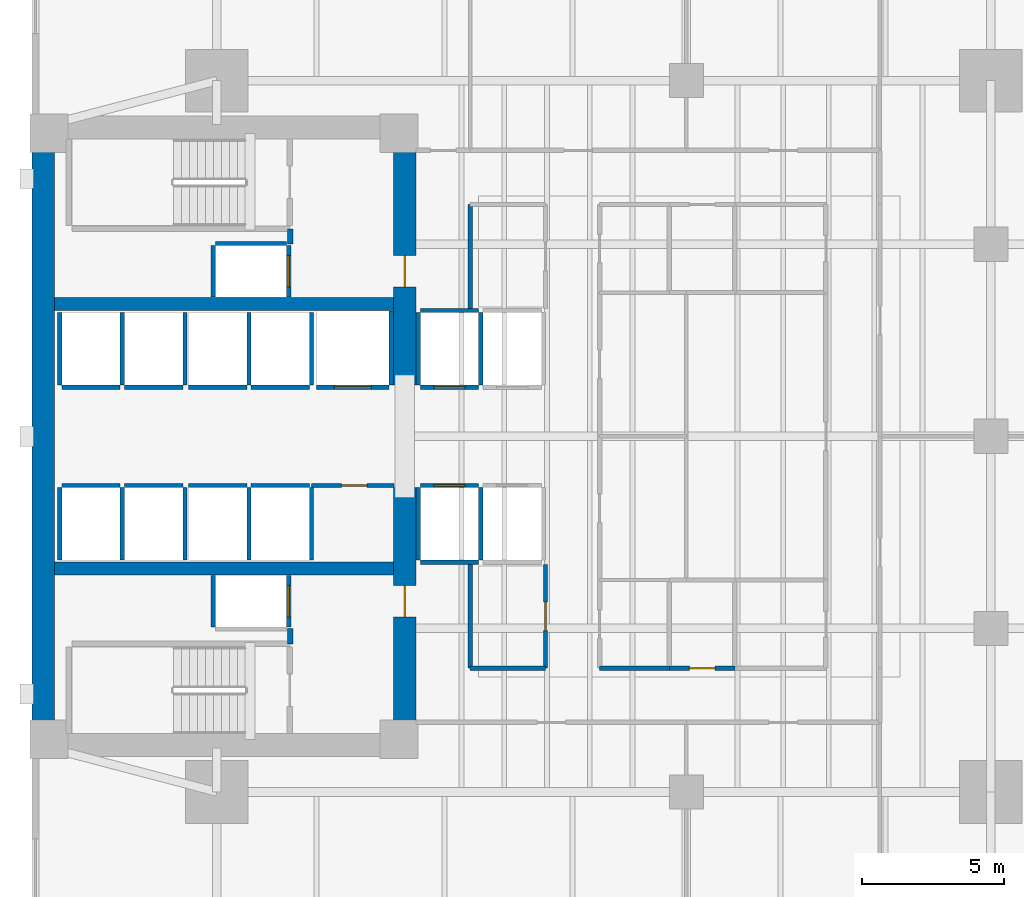
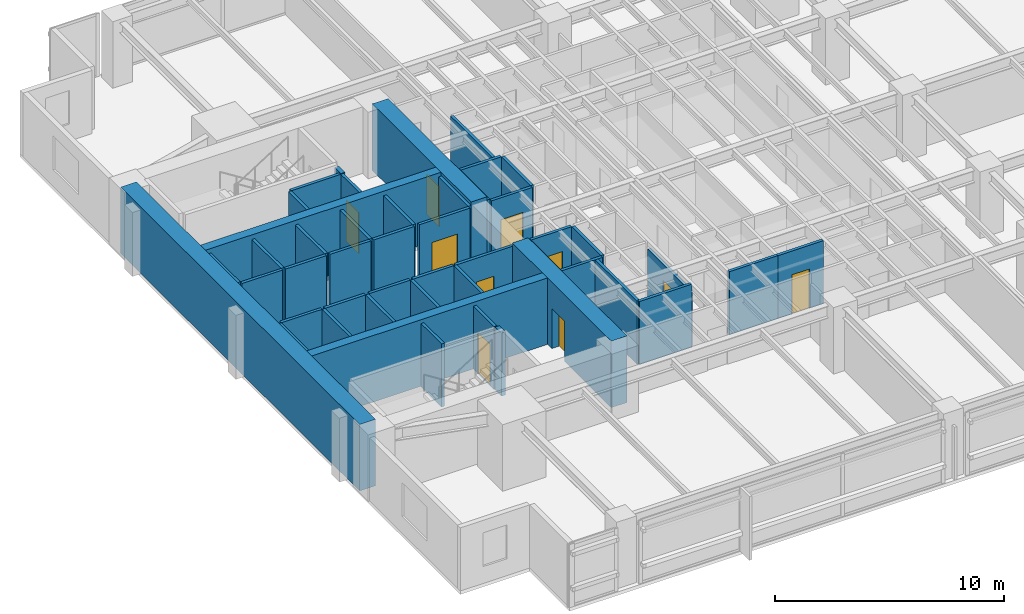
# One storey, part 8 of 15: 47 walls, 10 doors, 10 openings.
"""IFC4 building model written with IfcOpenShell, lengths in metres."""

from ifc_helpers import new_model, si_unit, direction, frame, frame_2d, origin, place, context, subcontext, project, spatial, rectangle, extrude, material, layer, layer_set, type_object, element, fill, save


model = new_model("IFC4")

# Units and contexts
model_context = context("Model", 3, precision=1e-05, world=origin(), true_north=direction((0.0, 1.0)))
body_context = subcontext(model_context, "Body", "Model", "MODEL_VIEW")
ifc_project = project(units=[si_unit("LENGTHUNIT", "METRE"), si_unit("AREAUNIT", "SQUARE_METRE"), si_unit("VOLUMEUNIT", "CUBIC_METRE"), si_unit("PLANEANGLEUNIT", "RADIAN"), si_unit("MASSUNIT", "GRAM", prefix="KILO")], contexts=[model_context])

# Site, building, storey
site_placement = place(None, origin())
site = spatial("IfcSite", under=ifc_project, at=site_placement, CompositionType="ELEMENT")
building_placement = place(site_placement, origin())
building = spatial("IfcBuilding", under=site, at=building_placement, Name="Kinhvarn Gate Tower", CompositionType="ELEMENT")
storey_placement = place(building_placement, frame((0.0, 0.0, 39.800048828125)))
storey = spatial("IfcBuildingStorey", under=building, at=storey_placement, Name="L09", CompositionType="ELEMENT", Elevation=39.800048828125)

# Walls
ifc_material_1 = material(Name="Concrete C50/60", Category="concrete")
ifc_layer_1 = layer(ifc_material_1, 0.449951171875)
ifc_layer_set_1 = layer_set([ifc_layer_1], Name="Concrete C50/60")
wall_type_1 = type_object("IfcWallType", Name="WL-CORE-450", PredefinedType="SHEAR", material=ifc_layer_set_1)
for number, where, z_axis, x_axis, name in (
    (1, (5.300048828125, 20.60009765625, 0.0), (0.0, 0.0, 1.0), (1.0, 0.0, 0.0), "Core South Spine Shear Wall L09 450 mm"),
    (2, (5.300048828125, 29.89990234375, 0.0), (0.0, 0.0, 1.0), (1.0, 0.0, 0.0), "Core North Spine Shear Wall L09 450 mm"),
):
    element("IfcWall", number, at=place(storey_placement, frame(where, z_axis=z_axis, x_axis=x_axis)), inside=storey, type_object=wall_type_1, Name=name, PredefinedType="SHEAR", context=body_context, shape_type="SweptSolid", body=[
        extrude(rectangle(XDim=11.89990234375, YDim=0.449951171875, at=frame_2d((5.949951171875, 0.0))), origin(), (0.0, 0.0, 1.0), 3.550048828125),
    ])

# Wall, opening, door
ifc_material_2 = material(Name="Concrete C70/85", Category="concrete")
ifc_layer_2 = layer(ifc_material_2, 0.800048828125)
ifc_layer_set_2 = layer_set([ifc_layer_2], Name="Concrete C70/85")
wall_type_2 = type_object("IfcWallType", Name="WL-CORE-800", PredefinedType="SHEAR", material=ifc_layer_set_2)
wall_1_placement = place(storey_placement, frame((17.60009765625, 14.800048828125, 0.0), z_axis=(0.0, 0.0, 1.0), x_axis=(0.0, 1.0, 0.0)))
wall_1 = element("IfcWall", 3, at=wall_1_placement, inside=storey, type_object=wall_type_2, Name="Core East-South Shear Pier L09 800 mm", PredefinedType="SHEAR", context=body_context, shape_type="SweptSolid", body=[
    extrude(rectangle(XDim=8.64990234375, YDim=0.800048828125, at=frame_2d((4.324951171875, 0.0))), origin(), (0.0, 0.0, 1.0), 3.550048828125),
])
opening_1_placement = place(wall_1_placement, frame((4.10009765625, 0.0, 0.0)))
opening_1 = element("IfcOpeningElement", 4, at=opening_1_placement, cuts=wall_1, Name="Opening FD-02", PredefinedType="OPENING", context=body_context, shape_type="SweptSolid", body=[
    extrude(rectangle(XDim=1.10009765625, YDim=2.14990234375, at=frame_2d((0.550048828125, 1.074951171875))), frame((0.0, 0.41015625, 0.0), z_axis=(0.0, -1.0, 0.0), x_axis=(1.0, 0.0, 0.0)), (0.0, 0.0, 1.0), 0.820068359375),
])
ifc_material_3 = material(Name="Anodised aluminium AW-6063", Category="aluminium")
door_type_1 = type_object("IfcDoorType", Name="DR-FD-1100", OperationType="NOTDEFINED", PredefinedType="DOOR", material=ifc_material_3)
door_1_placement = place(opening_1_placement, origin())
door_1 = element("IfcDoor", 5, at=door_1_placement, inside=storey, type_object=door_type_1, Name="Firefighting Lobby Core Door (L09)", OperationType="SINGLE_SWING_RIGHT", OverallHeight=2.14990234375, OverallWidth=1.10009765625, PredefinedType="DOOR", context=body_context, shape_type="SweptSolid", body=[
    extrude(rectangle(XDim=1.10009765625, YDim=2.14990234375, at=frame_2d((0.550048828125, 1.074951171875))), frame((0.0, 0.02490234375, 0.0), z_axis=(0.0, -1.0, 0.0), x_axis=(1.0, 0.0, 0.0)), (0.0, 0.0, 1.0), 0.050048828125),
])
fill(opening_1, door_1)

wall_2_placement = place(storey_placement, frame((17.60009765625, 27.050048828125, 0.0), z_axis=(0.0, 0.0, 1.0), x_axis=(0.0, 1.0, 0.0)))
wall_2 = element("IfcWall", 6, at=wall_2_placement, inside=storey, type_object=wall_type_2, Name="Core East-North Shear Pier L09 800 mm", PredefinedType="SHEAR", context=body_context, shape_type="SweptSolid", body=[
    extrude(rectangle(XDim=8.64990234375, YDim=0.800048828125, at=frame_2d((4.324951171875, 0.0))), origin(), (0.0, 0.0, 1.0), 3.550048828125),
])
opening_2_placement = place(wall_2_placement, frame((3.449951171875, 0.0, 0.0)))
opening_2 = element("IfcOpeningElement", 7, at=opening_2_placement, cuts=wall_2, Name="Opening FD-02", PredefinedType="OPENING", context=body_context, shape_type="SweptSolid", body=[
    extrude(rectangle(XDim=1.10009765625, YDim=2.14990234375, at=frame_2d((0.550048828125, 1.074951171875))), frame((0.0, 0.41015625, 0.0), z_axis=(0.0, -1.0, 0.0), x_axis=(1.0, 0.0, 0.0)), (0.0, 0.0, 1.0), 0.820068359375),
])
door_2_placement = place(opening_2_placement, origin())
door_2 = element("IfcDoor", 8, at=door_2_placement, inside=storey, type_object=door_type_1, Name="Firefighting Lobby Core Door (L09)", OperationType="SINGLE_SWING_LEFT", OverallHeight=2.14990234375, OverallWidth=1.10009765625, PredefinedType="DOOR", context=body_context, shape_type="SweptSolid", body=[
    extrude(rectangle(XDim=1.10009765625, YDim=2.14990234375, at=frame_2d((0.550048828125, 1.074951171875))), frame((0.0, 0.02490234375, 0.0), z_axis=(0.0, -1.0, 0.0), x_axis=(1.0, 0.0, 0.0)), (0.0, 0.0, 1.0), 0.050048828125),
])
fill(opening_2, door_2)

# Wall
ifc_layer_3 = layer(ifc_material_2, 0.800048828125)
ifc_layer_set_3 = layer_set([ifc_layer_3], Name="Concrete C70/85")
wall_type_3 = type_object("IfcWallType", Name="WL-COREX-800", PredefinedType="SHEAR", material=ifc_layer_set_3)
wall_3_placement = place(storey_placement, frame((4.89990234375, 14.800048828125, 0.0), z_axis=(0.0, 0.0, 1.0), x_axis=(0.0, 1.0, 0.0)))
element("IfcWall", 9, at=wall_3_placement, inside=storey, type_object=wall_type_3, Name="Core West Shear Wall L09 800 mm", PredefinedType="SHEAR", context=body_context, shape_type="SweptSolid", body=[
    extrude(rectangle(XDim=20.89990234375, YDim=0.800048828125, at=frame_2d((10.449951171875, 0.0))), origin(), (0.0, 0.0, 1.0), 3.550048828125),
])

# Wall, opening, door
ifc_material_4 = material(Name="Gypsum acoustic partition board")
ifc_layer_4 = layer(ifc_material_4, 0.14990234375)
ifc_layer_set_4 = layer_set([ifc_layer_4], Name="Gypsum acoustic partition board")
wall_type_4 = type_object("IfcWallType", Name="WL-PLM-150F", PredefinedType="PLUMBINGWALL", material=ifc_layer_set_4)
wall_4_placement = place(storey_placement, frame((26.89990234375, 17.10009765625, 0.0), z_axis=(0.0, 0.0, 1.0), x_axis=(1.0, 0.0, 0.0)))
wall_4 = element("IfcWall", 10, at=wall_4_placement, inside=storey, type_object=wall_type_4, Name="Interior Partition PLW-150F (L09)", PredefinedType="PLUMBINGWALL", context=body_context, shape_type="SweptSolid", body=[
    extrude(rectangle(XDim=2.300048828125, YDim=0.14990234375, at=frame_2d((1.14990234375, 0.0))), origin(), (0.0, 0.0, 1.0), 3.369873046875),
])
opening_3_placement = place(wall_4_placement, frame((0.699951171875, 0.0, 0.0)))
opening_3 = element("IfcOpeningElement", 11, at=opening_3_placement, cuts=wall_4, Name="Opening FD-04", PredefinedType="OPENING", context=body_context, shape_type="SweptSolid", body=[
    extrude(rectangle(XDim=0.89990234375, YDim=2.10009765625, at=frame_2d((0.449951171875, 1.050048828125))), frame((0.0, 0.0849609375, 0.0), z_axis=(0.0, -1.0, 0.0), x_axis=(1.0, 0.0, 0.0)), (0.0, 0.0, 1.0), 0.169921875),
])
door_type_2 = type_object("IfcDoorType", Name="DR-FD-900", OperationType="NOTDEFINED", PredefinedType="DOOR", material=ifc_material_3)
door_3_placement = place(opening_3_placement, origin())
door_3 = element("IfcDoor", 12, at=door_3_placement, inside=storey, type_object=door_type_2, Name="Rated Riser & Service Closet Fire Door 900x2100 mm (L09)", OperationType="SINGLE_SWING_LEFT", OverallHeight=2.10009765625, OverallWidth=0.89990234375, PredefinedType="DOOR", context=body_context, shape_type="SweptSolid", body=[
    extrude(rectangle(XDim=0.89990234375, YDim=2.10009765625, at=frame_2d((0.449951171875, 1.050048828125))), frame((0.0, 0.02490234375, 0.0), z_axis=(0.0, -1.0, 0.0), x_axis=(1.0, 0.0, 0.0)), (0.0, 0.0, 1.0), 0.050048828125),
])
fill(opening_3, door_3)

ifc_layer_5 = layer(ifc_material_4, 0.14990234375)
ifc_layer_set_5 = layer_set([ifc_layer_5], Name="Gypsum acoustic partition board")
wall_type_5 = type_object("IfcWallType", Name="WL-PRT-150F", PredefinedType="PARTITIONING", material=ifc_layer_set_5)
wall_5_placement = place(storey_placement, frame((14.330078125, 23.52001953125, 0.0), z_axis=(0.0, 0.0, 1.0), x_axis=(1.0, 0.0, 0.0)))
wall_5 = element("IfcWall", 13, at=wall_5_placement, inside=storey, type_object=wall_type_5, Name="Interior Partition PW-150F (L09)", PredefinedType="PARTITIONING", context=body_context, shape_type="SweptSolid", body=[
    extrude(rectangle(XDim=2.889892578125, YDim=0.14990234375, at=frame_2d((1.44482421875, 0.0))), origin(), (0.0, 0.0, 1.0), 3.369873046875),
])
opening_4_placement = place(wall_5_placement, frame((1.052734375, 0.0, 0.0)))
opening_4 = element("IfcOpeningElement", 14, at=opening_4_placement, cuts=wall_5, Name="Opening FD-04", PredefinedType="OPENING", context=body_context, shape_type="SweptSolid", body=[
    extrude(rectangle(XDim=0.89990234375, YDim=2.10009765625, at=frame_2d((0.449951171875, 1.050048828125))), frame((0.0, 0.0849609375, 0.0), z_axis=(0.0, -1.0, 0.0), x_axis=(1.0, 0.0, 0.0)), (0.0, 0.0, 1.0), 0.169921875),
])
door_4_placement = place(opening_4_placement, origin())
door_4 = element("IfcDoor", 15, at=door_4_placement, inside=storey, type_object=door_type_2, Name="Rated Riser & Service Closet Fire Door 900x2100 mm (L09)", OperationType="SINGLE_SWING_RIGHT", OverallHeight=2.10009765625, OverallWidth=0.89990234375, PredefinedType="DOOR", context=body_context, shape_type="SweptSolid", body=[
    extrude(rectangle(XDim=0.89990234375, YDim=2.10009765625, at=frame_2d((0.449951171875, 1.050048828125))), frame((0.0, 0.02490234375, 0.0), z_axis=(0.0, -1.0, 0.0), x_axis=(1.0, 0.0, 0.0)), (0.0, 0.0, 1.0), 0.050048828125),
])
fill(opening_4, door_4)

wall_6_placement = place(storey_placement, frame((22.550048828125, 17.10009765625, 0.0), z_axis=(0.0, 0.0, 1.0), x_axis=(0.0, 1.0, 0.0)))
wall_6 = element("IfcWall", 16, at=wall_6_placement, inside=storey, type_object=wall_type_5, Name="Interior Partition PW-150F (L09)", PredefinedType="PARTITIONING", context=body_context, shape_type="SweptSolid", body=[
    extrude(rectangle(XDim=3.64990234375, YDim=0.14990234375, at=frame_2d((1.824951171875, 0.0))), origin(), (0.0, 0.0, 1.0), 3.010009765625),
])
opening_5_placement = place(wall_6_placement, frame((1.324951171875, 0.0, 0.0)))
opening_5 = element("IfcOpeningElement", 17, at=opening_5_placement, cuts=wall_6, Name="Opening ID-02", PredefinedType="OPENING", context=body_context, shape_type="SweptSolid", body=[
    extrude(rectangle(XDim=1.0, YDim=2.14990234375, at=frame_2d((0.5, 1.074951171875))), frame((0.0, 0.0849609375, 0.0), z_axis=(0.0, -1.0, 0.0), x_axis=(1.0, 0.0, 0.0)), (0.0, 0.0, 1.0), 0.169921875),
])
door_type_3 = type_object("IfcDoorType", Name="DR-INT-1000", OperationType="NOTDEFINED", PredefinedType="DOOR", material=ifc_material_3)
door_5_placement = place(opening_5_placement, origin())
door_5 = element("IfcDoor", 18, at=door_5_placement, inside=storey, type_object=door_type_3, Name="Standard Office & Meeting Room Door 1000x2150 mm (L09)", OperationType="SINGLE_SWING_LEFT", OverallHeight=2.14990234375, OverallWidth=1.0, PredefinedType="DOOR", context=body_context, shape_type="SweptSolid", body=[
    extrude(rectangle(XDim=1.0, YDim=2.14990234375, at=frame_2d((0.5, 1.074951171875))), frame((0.0, 0.02490234375, 0.0), z_axis=(0.0, -1.0, 0.0), x_axis=(1.0, 0.0, 0.0)), (0.0, 0.0, 1.0), 0.050048828125),
])
fill(opening_5, door_5)

# Walls
for number, where, z_axis, x_axis, name in (
    (19, (19.89990234375, 17.10009765625, 0.0), (0.0, 0.0, 1.0), (0.0, 1.0, 0.0), "Interior Partition PW-150F (L09)"),
    (20, (19.89990234375, 29.75, 0.0), (0.0, 0.0, 1.0), (0.0, 1.0, 0.0), "Interior Partition PW-150F (L09)"),
):
    element("IfcWall", number, at=place(storey_placement, frame(where, z_axis=z_axis, x_axis=x_axis)), inside=storey, type_object=wall_type_5, Name=name, PredefinedType="PARTITIONING", context=body_context, shape_type="SweptSolid", body=[
        extrude(rectangle(XDim=3.64990234375, YDim=0.14990234375, at=frame_2d((1.824951171875, 0.0))), origin(), (0.0, 0.0, 1.0), 3.369873046875),
    ])
wall_7_placement = place(storey_placement, frame((19.89990234375, 17.10009765625, 0.0), z_axis=(0.0, 0.0, 1.0), x_axis=(1.0, 0.0, 0.0)))
element("IfcWall", 21, at=wall_7_placement, inside=storey, type_object=wall_type_5, Name="Interior Partition PW-150F (L09)", PredefinedType="PARTITIONING", context=body_context, shape_type="SweptSolid", body=[
    extrude(rectangle(XDim=2.650146484375, YDim=0.14990234375, at=frame_2d((1.3251953125, 0.0))), origin(), (0.0, 0.0, 1.0), 3.369873046875),
])
wall_8_placement = place(storey_placement, frame((24.449951171875, 17.10009765625, 0.0), z_axis=(0.0, 0.0, 1.0), x_axis=(1.0, 0.0, 0.0)))
element("IfcWall", 22, at=wall_8_placement, inside=storey, type_object=wall_type_5, Name="Interior Partition PW-150F (L09)", PredefinedType="PARTITIONING", context=body_context, shape_type="SweptSolid", body=[
    extrude(rectangle(XDim=2.449951171875, YDim=0.14990234375, at=frame_2d((1.22509765625, 0.0))), origin(), (0.0, 0.0, 1.0), 3.369873046875),
])
ifc_layer_6 = layer(ifc_material_4, 0.199951171875)
ifc_layer_set_6 = layer_set([ifc_layer_6], Name="Gypsum acoustic partition board")
wall_type_6 = type_object("IfcWallType", Name="WL-PRT-200", PredefinedType="PARTITIONING", material=ifc_layer_set_6)
for number, where, z_axis, x_axis, name in (
    (23, (13.580078125, 17.9599609375, 0.0), (0.0, 0.0, 1.0), (0.0, 1.0, 0.0), "Interior Partition PW-200 (L09)"),
    (24, (13.580078125, 32.0, 0.0), (0.0, 0.0, 1.0), (0.0, 1.0, 0.0), "Interior Partition PW-200 (L09)"),
):
    element("IfcWall", number, at=place(storey_placement, frame(where, z_axis=z_axis, x_axis=x_axis)), inside=storey, type_object=wall_type_6, Name=name, PredefinedType="PARTITIONING", context=body_context, shape_type="SweptSolid", body=[
        extrude(rectangle(XDim=0.5400390625, YDim=0.199951171875, at=frame_2d((0.27001953125, 0.0))), origin(), (0.0, 0.0, 1.0), 3.369873046875),
    ])
ifc_layer_7 = layer(ifc_material_4, 0.14990234375)
ifc_layer_set_7 = layer_set([ifc_layer_7], Name="Gypsum acoustic partition board")
wall_type_7 = type_object("IfcWallType", Name="WL-SHF-150", PredefinedType="PARTITIONING", material=ifc_layer_set_7)
wall_9_placement = place(storey_placement, frame((18.14990234375, 20.824951171875, 0.0), z_axis=(0.0, 0.0, 1.0), x_axis=(1.0, 0.0, 0.0)))
element("IfcWall", 25, at=wall_9_placement, inside=storey, type_object=wall_type_7, Name="Elevator PL-01 Hoistway Wall S (L09)", PredefinedType="PARTITIONING", context=body_context, shape_type="SweptSolid", body=[
    extrude(rectangle(XDim=2.050048828125, YDim=0.14990234375, at=frame_2d((1.02490234375, 0.0))), origin(), (0.0, 0.0, 1.0), 3.369873046875),
])

# Wall, opening, door
wall_10_placement = place(storey_placement, frame((18.14990234375, 23.52490234375, 0.0), z_axis=(0.0, 0.0, 1.0), x_axis=(1.0, 0.0, 0.0)))
wall_10 = element("IfcWall", 26, at=wall_10_placement, inside=storey, type_object=wall_type_7, Name="Elevator PL-01 Landing Wall (L09)", PredefinedType="PARTITIONING", context=body_context, shape_type="SweptSolid", body=[
    extrude(rectangle(XDim=2.050048828125, YDim=0.14990234375, at=frame_2d((1.02490234375, 0.0))), origin(), (0.0, 0.0, 1.0), 3.369873046875),
])
opening_6_placement = place(wall_10_placement, frame((0.47509765625, 0.0, 0.0)))
opening_6 = element("IfcOpeningElement", 27, at=opening_6_placement, cuts=wall_10, Name="Opening LD-01", PredefinedType="OPENING", context=body_context, shape_type="SweptSolid", body=[
    extrude(rectangle(XDim=1.10009765625, YDim=2.199951171875, at=frame_2d((0.550048828125, 1.10009765625))), frame((0.0, 0.0849609375, 0.0), z_axis=(0.0, -1.0, 0.0), x_axis=(1.0, 0.0, 0.0)), (0.0, 0.0, 1.0), 0.169921875),
])
door_type_4 = type_object("IfcDoorType", Name="DR-LND-PAS", OperationType="NOTDEFINED", PredefinedType="DOOR", material=ifc_material_3)
door_6_placement = place(opening_6_placement, origin())
door_6 = element("IfcDoor", 28, at=door_6_placement, inside=storey, type_object=door_type_4, Name="Elevator PL-01 Sliding Landing Door (L09)", OperationType="DOUBLE_DOOR_SLIDING", OverallHeight=2.199951171875, OverallWidth=1.10009765625, PredefinedType="DOOR", context=body_context, shape_type="SweptSolid", body=[
    extrude(rectangle(XDim=1.10009765625, YDim=2.199951171875, at=frame_2d((0.550048828125, 1.10009765625))), frame((0.0, 0.02490234375, 0.0), z_axis=(0.0, -1.0, 0.0), x_axis=(1.0, 0.0, 0.0)), (0.0, 0.0, 1.0), 0.050048828125),
])
fill(opening_6, door_6)

# Walls
for number, where, z_axis, x_axis, name in (
    (29, (18.074951171875, 20.89990234375, 0.0), (0.0, 0.0, 1.0), (0.0, 1.0, 0.0), "Elevator PL-01 Hoistway Wall W (L09)"),
    (30, (20.27490234375, 20.89990234375, 0.0), (0.0, 0.0, 1.0), (0.0, 1.0, 0.0), "Elevator PL-01 Hoistway Wall E (L09)"),
):
    element("IfcWall", number, at=place(storey_placement, frame(where, z_axis=z_axis, x_axis=x_axis)), inside=storey, type_object=wall_type_7, Name=name, PredefinedType="PARTITIONING", context=body_context, shape_type="SweptSolid", body=[
        extrude(rectangle(XDim=2.550048828125, YDim=0.14990234375, at=frame_2d((1.27490234375, 0.0))), origin(), (0.0, 0.0, 1.0), 3.369873046875),
    ])

# Wall, opening, door
wall_11_placement = place(storey_placement, frame((18.14990234375, 26.97509765625, 0.0), z_axis=(0.0, 0.0, 1.0), x_axis=(1.0, 0.0, 0.0)))
wall_11 = element("IfcWall", 31, at=wall_11_placement, inside=storey, type_object=wall_type_7, Name="Elevator PL-03 Landing Wall (L09)", PredefinedType="PARTITIONING", context=body_context, shape_type="SweptSolid", body=[
    extrude(rectangle(XDim=2.050048828125, YDim=0.14990234375, at=frame_2d((1.02490234375, 0.0))), origin(), (0.0, 0.0, 1.0), 3.369873046875),
])
opening_7_placement = place(wall_11_placement, frame((0.47509765625, 0.0, 0.0)))
opening_7 = element("IfcOpeningElement", 32, at=opening_7_placement, cuts=wall_11, Name="Opening LD-01", PredefinedType="OPENING", context=body_context, shape_type="SweptSolid", body=[
    extrude(rectangle(XDim=1.10009765625, YDim=2.199951171875, at=frame_2d((0.550048828125, 1.10009765625))), frame((0.0, 0.0849609375, 0.0), z_axis=(0.0, -1.0, 0.0), x_axis=(1.0, 0.0, 0.0)), (0.0, 0.0, 1.0), 0.169921875),
])
door_7_placement = place(opening_7_placement, origin())
door_7 = element("IfcDoor", 33, at=door_7_placement, inside=storey, type_object=door_type_4, Name="Elevator PL-03 Sliding Landing Door (L09)", OperationType="DOUBLE_DOOR_SLIDING", OverallHeight=2.199951171875, OverallWidth=1.10009765625, PredefinedType="DOOR", context=body_context, shape_type="SweptSolid", body=[
    extrude(rectangle(XDim=1.10009765625, YDim=2.199951171875, at=frame_2d((0.550048828125, 1.10009765625))), frame((0.0, 0.02490234375, 0.0), z_axis=(0.0, -1.0, 0.0), x_axis=(1.0, 0.0, 0.0)), (0.0, 0.0, 1.0), 0.050048828125),
])
fill(opening_7, door_7)

# Walls
wall_12_placement = place(storey_placement, frame((18.14990234375, 29.675048828125, 0.0), z_axis=(0.0, 0.0, 1.0), x_axis=(1.0, 0.0, 0.0)))
element("IfcWall", 34, at=wall_12_placement, inside=storey, type_object=wall_type_7, Name="Elevator PL-03 Hoistway Wall N (L09)", PredefinedType="PARTITIONING", context=body_context, shape_type="SweptSolid", body=[
    extrude(rectangle(XDim=2.050048828125, YDim=0.14990234375, at=frame_2d((1.02490234375, 0.0))), origin(), (0.0, 0.0, 1.0), 3.369873046875),
])
for number, where, z_axis, x_axis, name in (
    (35, (18.074951171875, 27.050048828125, 0.0), (0.0, 0.0, 1.0), (0.0, 1.0, 0.0), "Elevator PL-03 Hoistway Wall W (L09)"),
    (36, (20.27490234375, 27.050048828125, 0.0), (0.0, 0.0, 1.0), (0.0, 1.0, 0.0), "Elevator PL-03 Hoistway Wall E (L09)"),
):
    element("IfcWall", number, at=place(storey_placement, frame(where, z_axis=z_axis, x_axis=x_axis)), inside=storey, type_object=wall_type_7, Name=name, PredefinedType="PARTITIONING", context=body_context, shape_type="SweptSolid", body=[
        extrude(rectangle(XDim=2.550048828125, YDim=0.14990234375, at=frame_2d((1.27490234375, 0.0))), origin(), (0.0, 0.0, 1.0), 3.369873046875),
    ])
wall_13_placement = place(storey_placement, frame((5.550048828125, 23.52490234375, 0.0), z_axis=(0.0, 0.0, 1.0), x_axis=(1.0, 0.0, 0.0)))
element("IfcWall", 37, at=wall_13_placement, inside=storey, type_object=wall_type_7, Name="Elevator PM-05 Landing Wall (L09)", PredefinedType="PARTITIONING", context=body_context, shape_type="SweptSolid", body=[
    extrude(rectangle(XDim=2.050048828125, YDim=0.14990234375, at=frame_2d((1.02490234375, 0.0))), origin(), (0.0, 0.0, 1.0), 3.369873046875),
])
for number, where, z_axis, x_axis, name in (
    (38, (5.47509765625, 20.89990234375, 0.0), (0.0, 0.0, 1.0), (0.0, 1.0, 0.0), "Elevator PM-05 Hoistway Wall W (L09)"),
    (39, (7.675048828125, 20.89990234375, 0.0), (0.0, 0.0, 1.0), (0.0, 1.0, 0.0), "Elevator PM-05 Hoistway Wall E (L09)"),
):
    element("IfcWall", number, at=place(storey_placement, frame(where, z_axis=z_axis, x_axis=x_axis)), inside=storey, type_object=wall_type_7, Name=name, PredefinedType="PARTITIONING", context=body_context, shape_type="SweptSolid", body=[
        extrude(rectangle(XDim=2.550048828125, YDim=0.14990234375, at=frame_2d((1.27490234375, 0.0))), origin(), (0.0, 0.0, 1.0), 3.369873046875),
    ])
wall_14_placement = place(storey_placement, frame((7.75, 23.52490234375, 0.0), z_axis=(0.0, 0.0, 1.0), x_axis=(1.0, 0.0, 0.0)))
element("IfcWall", 40, at=wall_14_placement, inside=storey, type_object=wall_type_7, Name="Elevator PM-06 Landing Wall (L09)", PredefinedType="PARTITIONING", context=body_context, shape_type="SweptSolid", body=[
    extrude(rectangle(XDim=2.050048828125, YDim=0.14990234375, at=frame_2d((1.02490234375, 0.0))), origin(), (0.0, 0.0, 1.0), 3.369873046875),
])
wall_15_placement = place(storey_placement, frame((9.875, 20.89990234375, 0.0), z_axis=(0.0, 0.0, 1.0), x_axis=(0.0, 1.0, 0.0)))
element("IfcWall", 41, at=wall_15_placement, inside=storey, type_object=wall_type_7, Name="Elevator PM-06 Hoistway Wall E (L09)", PredefinedType="PARTITIONING", context=body_context, shape_type="SweptSolid", body=[
    extrude(rectangle(XDim=2.550048828125, YDim=0.14990234375, at=frame_2d((1.27490234375, 0.0))), origin(), (0.0, 0.0, 1.0), 3.369873046875),
])
wall_16_placement = place(storey_placement, frame((5.550048828125, 26.97509765625, 0.0), z_axis=(0.0, 0.0, 1.0), x_axis=(1.0, 0.0, 0.0)))
element("IfcWall", 42, at=wall_16_placement, inside=storey, type_object=wall_type_7, Name="Elevator PM-07 Landing Wall (L09)", PredefinedType="PARTITIONING", context=body_context, shape_type="SweptSolid", body=[
    extrude(rectangle(XDim=2.050048828125, YDim=0.14990234375, at=frame_2d((1.02490234375, 0.0))), origin(), (0.0, 0.0, 1.0), 3.369873046875),
])
for number, where, z_axis, x_axis, name in (
    (43, (5.47509765625, 27.050048828125, 0.0), (0.0, 0.0, 1.0), (0.0, 1.0, 0.0), "Elevator PM-07 Hoistway Wall W (L09)"),
    (44, (7.675048828125, 27.050048828125, 0.0), (0.0, 0.0, 1.0), (0.0, 1.0, 0.0), "Elevator PM-07 Hoistway Wall E (L09)"),
):
    element("IfcWall", number, at=place(storey_placement, frame(where, z_axis=z_axis, x_axis=x_axis)), inside=storey, type_object=wall_type_7, Name=name, PredefinedType="PARTITIONING", context=body_context, shape_type="SweptSolid", body=[
        extrude(rectangle(XDim=2.550048828125, YDim=0.14990234375, at=frame_2d((1.27490234375, 0.0))), origin(), (0.0, 0.0, 1.0), 3.369873046875),
    ])
wall_17_placement = place(storey_placement, frame((7.75, 26.97509765625, 0.0), z_axis=(0.0, 0.0, 1.0), x_axis=(1.0, 0.0, 0.0)))
element("IfcWall", 45, at=wall_17_placement, inside=storey, type_object=wall_type_7, Name="Elevator PM-08 Landing Wall (L09)", PredefinedType="PARTITIONING", context=body_context, shape_type="SweptSolid", body=[
    extrude(rectangle(XDim=2.050048828125, YDim=0.14990234375, at=frame_2d((1.02490234375, 0.0))), origin(), (0.0, 0.0, 1.0), 3.369873046875),
])
wall_18_placement = place(storey_placement, frame((9.875, 27.050048828125, 0.0), z_axis=(0.0, 0.0, 1.0), x_axis=(0.0, 1.0, 0.0)))
element("IfcWall", 46, at=wall_18_placement, inside=storey, type_object=wall_type_7, Name="Elevator PM-08 Hoistway Wall E (L09)", PredefinedType="PARTITIONING", context=body_context, shape_type="SweptSolid", body=[
    extrude(rectangle(XDim=2.550048828125, YDim=0.14990234375, at=frame_2d((1.27490234375, 0.0))), origin(), (0.0, 0.0, 1.0), 3.369873046875),
])
wall_19_placement = place(storey_placement, frame((10.0, 23.52490234375, 0.0), z_axis=(0.0, 0.0, 1.0), x_axis=(1.0, 0.0, 0.0)))
element("IfcWall", 47, at=wall_19_placement, inside=storey, type_object=wall_type_7, Name="Elevator PH-09 Landing Wall (L09)", PredefinedType="PARTITIONING", context=body_context, shape_type="SweptSolid", body=[
    extrude(rectangle(XDim=2.050048828125, YDim=0.14990234375, at=frame_2d((1.02490234375, 0.0))), origin(), (0.0, 0.0, 1.0), 3.369873046875),
])
wall_20_placement = place(storey_placement, frame((12.125, 20.89990234375, 0.0), z_axis=(0.0, 0.0, 1.0), x_axis=(0.0, 1.0, 0.0)))
element("IfcWall", 48, at=wall_20_placement, inside=storey, type_object=wall_type_7, Name="Elevator PH-09 Hoistway Wall E (L09)", PredefinedType="PARTITIONING", context=body_context, shape_type="SweptSolid", body=[
    extrude(rectangle(XDim=2.550048828125, YDim=0.14990234375, at=frame_2d((1.27490234375, 0.0))), origin(), (0.0, 0.0, 1.0), 3.369873046875),
])
wall_21_placement = place(storey_placement, frame((12.199951171875, 23.52490234375, 0.0), z_axis=(0.0, 0.0, 1.0), x_axis=(1.0, 0.0, 0.0)))
element("IfcWall", 49, at=wall_21_placement, inside=storey, type_object=wall_type_7, Name="Elevator PH-10 Landing Wall (L09)", PredefinedType="PARTITIONING", context=body_context, shape_type="SweptSolid", body=[
    extrude(rectangle(XDim=2.050048828125, YDim=0.14990234375, at=frame_2d((1.02490234375, 0.0))), origin(), (0.0, 0.0, 1.0), 3.369873046875),
])
wall_22_placement = place(storey_placement, frame((14.324951171875, 20.89990234375, 0.0), z_axis=(0.0, 0.0, 1.0), x_axis=(0.0, 1.0, 0.0)))
element("IfcWall", 50, at=wall_22_placement, inside=storey, type_object=wall_type_7, Name="Elevator PH-10 Hoistway Wall E (L09)", PredefinedType="PARTITIONING", context=body_context, shape_type="SweptSolid", body=[
    extrude(rectangle(XDim=2.550048828125, YDim=0.14990234375, at=frame_2d((1.27490234375, 0.0))), origin(), (0.0, 0.0, 1.0), 3.369873046875),
])
wall_23_placement = place(storey_placement, frame((10.0, 26.97509765625, 0.0), z_axis=(0.0, 0.0, 1.0), x_axis=(1.0, 0.0, 0.0)))
element("IfcWall", 51, at=wall_23_placement, inside=storey, type_object=wall_type_7, Name="Elevator PH-11 Landing Wall (L09)", PredefinedType="PARTITIONING", context=body_context, shape_type="SweptSolid", body=[
    extrude(rectangle(XDim=2.050048828125, YDim=0.14990234375, at=frame_2d((1.02490234375, 0.0))), origin(), (0.0, 0.0, 1.0), 3.369873046875),
])
wall_24_placement = place(storey_placement, frame((12.125, 27.050048828125, 0.0), z_axis=(0.0, 0.0, 1.0), x_axis=(0.0, 1.0, 0.0)))
element("IfcWall", 52, at=wall_24_placement, inside=storey, type_object=wall_type_7, Name="Elevator PH-11 Hoistway Wall E (L09)", PredefinedType="PARTITIONING", context=body_context, shape_type="SweptSolid", body=[
    extrude(rectangle(XDim=2.550048828125, YDim=0.14990234375, at=frame_2d((1.27490234375, 0.0))), origin(), (0.0, 0.0, 1.0), 3.369873046875),
])
wall_25_placement = place(storey_placement, frame((12.199951171875, 26.97509765625, 0.0), z_axis=(0.0, 0.0, 1.0), x_axis=(1.0, 0.0, 0.0)))
element("IfcWall", 53, at=wall_25_placement, inside=storey, type_object=wall_type_7, Name="Elevator PH-12 Landing Wall (L09)", PredefinedType="PARTITIONING", context=body_context, shape_type="SweptSolid", body=[
    extrude(rectangle(XDim=2.050048828125, YDim=0.14990234375, at=frame_2d((1.02490234375, 0.0))), origin(), (0.0, 0.0, 1.0), 3.369873046875),
])
wall_26_placement = place(storey_placement, frame((14.324951171875, 27.050048828125, 0.0), z_axis=(0.0, 0.0, 1.0), x_axis=(0.0, 1.0, 0.0)))
element("IfcWall", 54, at=wall_26_placement, inside=storey, type_object=wall_type_7, Name="Elevator PH-12 Hoistway Wall E (L09)", PredefinedType="PARTITIONING", context=body_context, shape_type="SweptSolid", body=[
    extrude(rectangle(XDim=2.550048828125, YDim=0.14990234375, at=frame_2d((1.27490234375, 0.0))), origin(), (0.0, 0.0, 1.0), 3.369873046875),
])

# Wall, opening, door
wall_27_placement = place(storey_placement, frame((14.5, 26.97509765625, 0.0), z_axis=(0.0, 0.0, 1.0), x_axis=(1.0, 0.0, 0.0)))
wall_27 = element("IfcWall", 55, at=wall_27_placement, inside=storey, type_object=wall_type_7, Name="Elevator SV-01 Landing Wall (L09)", PredefinedType="PARTITIONING", context=body_context, shape_type="SweptSolid", body=[
    extrude(rectangle(XDim=2.550048828125, YDim=0.14990234375, at=frame_2d((1.27490234375, 0.0))), origin(), (0.0, 0.0, 1.0), 3.369873046875),
])
opening_8_placement = place(wall_27_placement, frame((0.625, 0.0, 0.0)))
opening_8 = element("IfcOpeningElement", 56, at=opening_8_placement, cuts=wall_27, Name="Opening LD-02", PredefinedType="OPENING", context=body_context, shape_type="SweptSolid", body=[
    extrude(rectangle(XDim=1.300048828125, YDim=2.199951171875, at=frame_2d((0.64990234375, 1.10009765625))), frame((0.0, 0.0849609375, 0.0), z_axis=(0.0, -1.0, 0.0), x_axis=(1.0, 0.0, 0.0)), (0.0, 0.0, 1.0), 0.169921875),
])
door_type_5 = type_object("IfcDoorType", Name="DR-LND-SRV", OperationType="NOTDEFINED", PredefinedType="DOOR", material=ifc_material_3)
door_8_placement = place(opening_8_placement, origin())
door_8 = element("IfcDoor", 57, at=door_8_placement, inside=storey, type_object=door_type_5, Name="Elevator SV-01 Sliding Landing Door (L09)", OperationType="DOUBLE_DOOR_SLIDING", OverallHeight=2.199951171875, OverallWidth=1.300048828125, PredefinedType="DOOR", context=body_context, shape_type="SweptSolid", body=[
    extrude(rectangle(XDim=1.300048828125, YDim=2.199951171875, at=frame_2d((0.64990234375, 1.10009765625))), frame((0.0, 0.02490234375, 0.0), z_axis=(0.0, -1.0, 0.0), x_axis=(1.0, 0.0, 0.0)), (0.0, 0.0, 1.0), 0.050048828125),
])
fill(opening_8, door_8)

# Walls
wall_28_placement = place(storey_placement, frame((17.125, 27.050048828125, 0.0), z_axis=(0.0, 0.0, 1.0), x_axis=(0.0, 1.0, 0.0)))
element("IfcWall", 58, at=wall_28_placement, inside=storey, type_object=wall_type_7, Name="Elevator SV-01 Hoistway Wall E (L09)", PredefinedType="PARTITIONING", context=body_context, shape_type="SweptSolid", body=[
    extrude(rectangle(XDim=2.599853515625, YDim=0.14990234375, at=frame_2d((1.2998046875, 0.0))), origin(), (0.0, 0.0, 1.0), 3.369873046875),
])
wall_29_placement = place(storey_placement, frame((10.875, 18.550048828125, 0.0), z_axis=(0.0, 0.0, 1.0), x_axis=(0.0, 1.0, 0.0)))
element("IfcWall", 59, at=wall_29_placement, inside=storey, type_object=wall_type_7, Name="Elevator FF1 Hoistway Wall W (L09)", PredefinedType="PARTITIONING", context=body_context, shape_type="SweptSolid", body=[
    extrude(rectangle(XDim=1.800048828125, YDim=0.14990234375, at=frame_2d((0.89990234375, 0.0))), origin(), (0.0, 0.0, 1.0), 3.369873046875),
])

# Wall, opening, door
wall_30_placement = place(storey_placement, frame((13.52490234375, 18.550048828125, 0.0), z_axis=(0.0, 0.0, 1.0), x_axis=(0.0, 1.0, 0.0)))
wall_30 = element("IfcWall", 60, at=wall_30_placement, inside=storey, type_object=wall_type_7, Name="Elevator FF1 Landing Wall (L09)", PredefinedType="PARTITIONING", context=body_context, shape_type="SweptSolid", body=[
    extrude(rectangle(XDim=1.800048828125, YDim=0.14990234375, at=frame_2d((0.89990234375, 0.0))), origin(), (0.0, 0.0, 1.0), 3.369873046875),
])
opening_9_placement = place(wall_30_placement, frame((0.35009765625, 0.0, 0.0)))
opening_9 = element("IfcOpeningElement", 61, at=opening_9_placement, cuts=wall_30, Name="Opening LD-03", PredefinedType="OPENING", context=body_context, shape_type="SweptSolid", body=[
    extrude(rectangle(XDim=1.10009765625, YDim=2.199951171875, at=frame_2d((0.550048828125, 1.10009765625))), frame((0.0, 0.0849609375, 0.0), z_axis=(0.0, -1.0, 0.0), x_axis=(1.0, 0.0, 0.0)), (0.0, 0.0, 1.0), 0.169921875),
])
door_type_6 = type_object("IfcDoorType", Name="DR-LND-FF", OperationType="NOTDEFINED", PredefinedType="DOOR", material=ifc_material_3)
door_9_placement = place(opening_9_placement, origin())
door_9 = element("IfcDoor", 62, at=door_9_placement, inside=storey, type_object=door_type_6, Name="Elevator FF1 Sliding Landing Door (L09)", OperationType="DOUBLE_DOOR_SLIDING", OverallHeight=2.199951171875, OverallWidth=1.10009765625, PredefinedType="DOOR", context=body_context, shape_type="SweptSolid", body=[
    extrude(rectangle(XDim=1.10009765625, YDim=2.199951171875, at=frame_2d((0.550048828125, 1.10009765625))), frame((0.0, 0.02490234375, 0.0), z_axis=(0.0, -1.0, 0.0), x_axis=(1.0, 0.0, 0.0)), (0.0, 0.0, 1.0), 0.050048828125),
])
fill(opening_9, door_9)

# Walls
wall_31_placement = place(storey_placement, frame((10.949951171875, 32.02490234375, 0.0), z_axis=(0.0, 0.0, 1.0), x_axis=(1.0, 0.0, 0.0)))
element("IfcWall", 63, at=wall_31_placement, inside=storey, type_object=wall_type_7, Name="Elevator FF2 Hoistway Wall N (L09)", PredefinedType="PARTITIONING", context=body_context, shape_type="SweptSolid", body=[
    extrude(rectangle(XDim=2.5, YDim=0.14990234375, at=frame_2d((1.25, 0.0))), origin(), (0.0, 0.0, 1.0), 3.369873046875),
])
wall_32_placement = place(storey_placement, frame((10.875, 30.14990234375, 0.0), z_axis=(0.0, 0.0, 1.0), x_axis=(0.0, 1.0, 0.0)))
element("IfcWall", 64, at=wall_32_placement, inside=storey, type_object=wall_type_7, Name="Elevator FF2 Hoistway Wall W (L09)", PredefinedType="PARTITIONING", context=body_context, shape_type="SweptSolid", body=[
    extrude(rectangle(XDim=1.800048828125, YDim=0.14990234375, at=frame_2d((0.89990234375, 0.0))), origin(), (0.0, 0.0, 1.0), 3.369873046875),
])

# Wall, opening, door
wall_33_placement = place(storey_placement, frame((13.52490234375, 30.14990234375, 0.0), z_axis=(0.0, 0.0, 1.0), x_axis=(0.0, 1.0, 0.0)))
wall_33 = element("IfcWall", 65, at=wall_33_placement, inside=storey, type_object=wall_type_7, Name="Elevator FF2 Landing Wall (L09)", PredefinedType="PARTITIONING", context=body_context, shape_type="SweptSolid", body=[
    extrude(rectangle(XDim=1.800048828125, YDim=0.14990234375, at=frame_2d((0.89990234375, 0.0))), origin(), (0.0, 0.0, 1.0), 3.369873046875),
])
opening_10_placement = place(wall_33_placement, frame((0.35009765625, 0.0, 0.0)))
opening_10 = element("IfcOpeningElement", 66, at=opening_10_placement, cuts=wall_33, Name="Opening LD-03", PredefinedType="OPENING", context=body_context, shape_type="SweptSolid", body=[
    extrude(rectangle(XDim=1.10009765625, YDim=2.199951171875, at=frame_2d((0.550048828125, 1.10009765625))), frame((0.0, 0.0849609375, 0.0), z_axis=(0.0, -1.0, 0.0), x_axis=(1.0, 0.0, 0.0)), (0.0, 0.0, 1.0), 0.169921875),
])
door_10_placement = place(opening_10_placement, origin())
door_10 = element("IfcDoor", 67, at=door_10_placement, inside=storey, type_object=door_type_6, Name="Elevator FF2 Sliding Landing Door (L09)", OperationType="DOUBLE_DOOR_SLIDING", OverallHeight=2.199951171875, OverallWidth=1.10009765625, PredefinedType="DOOR", context=body_context, shape_type="SweptSolid", body=[
    extrude(rectangle(XDim=1.10009765625, YDim=2.199951171875, at=frame_2d((0.550048828125, 1.10009765625))), frame((0.0, 0.02490234375, 0.0), z_axis=(0.0, -1.0, 0.0), x_axis=(1.0, 0.0, 0.0)), (0.0, 0.0, 1.0), 0.050048828125),
])
fill(opening_10, door_10)

save(model, "model.ifc")
